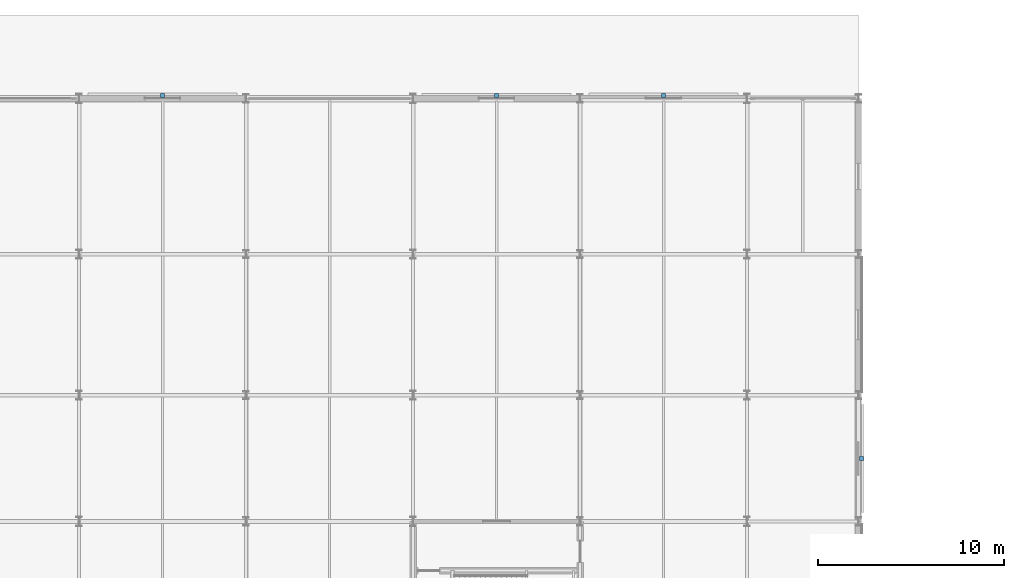
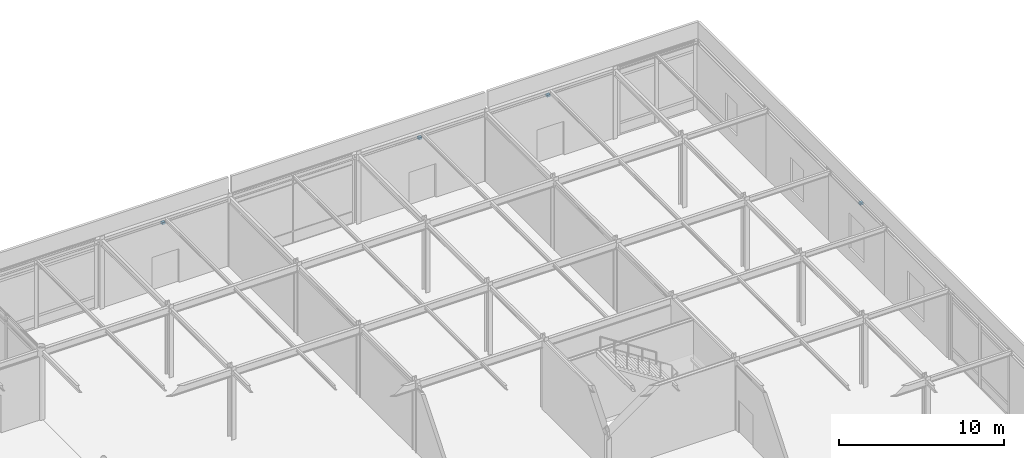
# One storey, part 81 of 89: 4 discrete accessories.
"""IFC4 building model written with IfcOpenShell, lengths in metres."""

from ifc_helpers import new_model, si_unit, direction, frame, origin, origin_2d, place, context, subcontext, project, spatial, rectangle, extrude, material, type_object, element, save


model = new_model("IFC4")

# Units and contexts
model_context = context("Model", 3, precision=1e-05, world=origin(), true_north=direction((0.0, 1.0)))
body_context = subcontext(model_context, "Body", "Model", "MODEL_VIEW")
ifc_project = project(units=[si_unit("LENGTHUNIT", "METRE"), si_unit("AREAUNIT", "SQUARE_METRE"), si_unit("VOLUMEUNIT", "CUBIC_METRE"), si_unit("PLANEANGLEUNIT", "RADIAN"), si_unit("MASSUNIT", "GRAM", prefix="KILO")], contexts=[model_context])

# Site, building, storey
site_placement = place(None, origin())
site = spatial("IfcSite", under=ifc_project, at=site_placement, CompositionType="ELEMENT")
building_placement = place(site_placement, origin())
building = spatial("IfcBuilding", under=site, at=building_placement, Name="Shalkamar Park Central Library", CompositionType="ELEMENT")
storey_placement = place(building_placement, origin())
storey = spatial("IfcBuildingStorey", under=building, at=storey_placement, Name="L01", CompositionType="ELEMENT", Elevation=0.0)

# Discrete accessories
ifc_material = material(Name="Steel S355", Category="steel")
discrete_accessory_type = type_object("IfcDiscreteAccessoryType", Name="Stainless Facade Bracket", PredefinedType="BRACKET", material=ifc_material)
for number, where, z_axis, x_axis, name in (
    (1, (250.5, 354.159912109375, 4.4931640625), (0.0, 0.0, 1.0), (1.0, 0.0, 0.0), "Frieze Fixing Bracket L01-014"),
    (2, (268.5, 354.159912109375, 4.4931640625), (0.0, 0.0, 1.0), (1.0, 0.0, 0.0), "Frieze Fixing Bracket L01-015"),
    (3, (277.5, 354.159912109375, 4.4931640625), (0.0, 0.0, 1.0), (1.0, 0.0, 0.0), "Frieze Fixing Bracket L01-016"),
    (4, (288.159912109375, 334.60009765625, 4.61328125), (0.0, 0.0, 1.0), (1.0, 0.0, 0.0), "Frieze Fixing Bracket L01-028"),
):
    element("IfcDiscreteAccessory", number, at=place(storey_placement, frame(where, z_axis=z_axis, x_axis=x_axis)), inside=storey, type_object=discrete_accessory_type, Name=name, PredefinedType="BRACKET", context=body_context, shape_type="SweptSolid", body=[
        extrude(rectangle(XDim=0.219970703125, YDim=0.219970703125, at=origin_2d()), origin(), (0.0, 0.0, 1.0), 0.159912109375),
    ])

save(model, "model.ifc")
